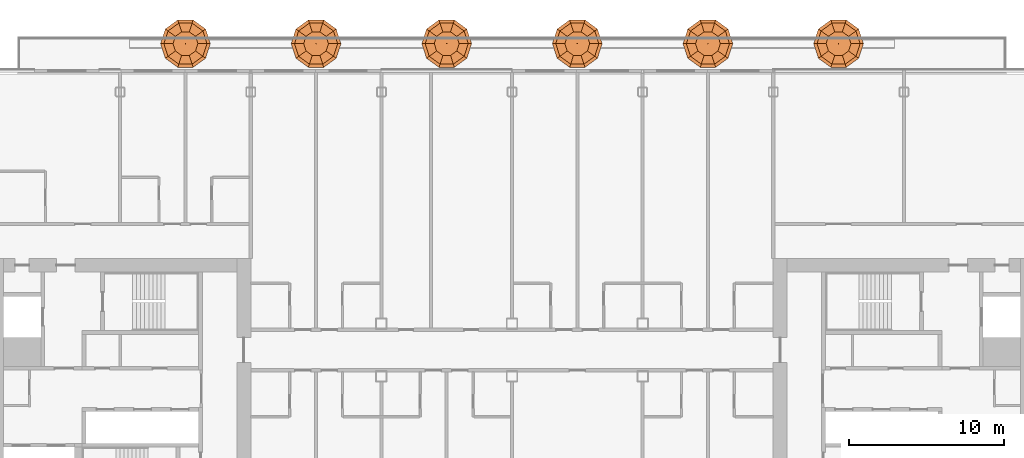
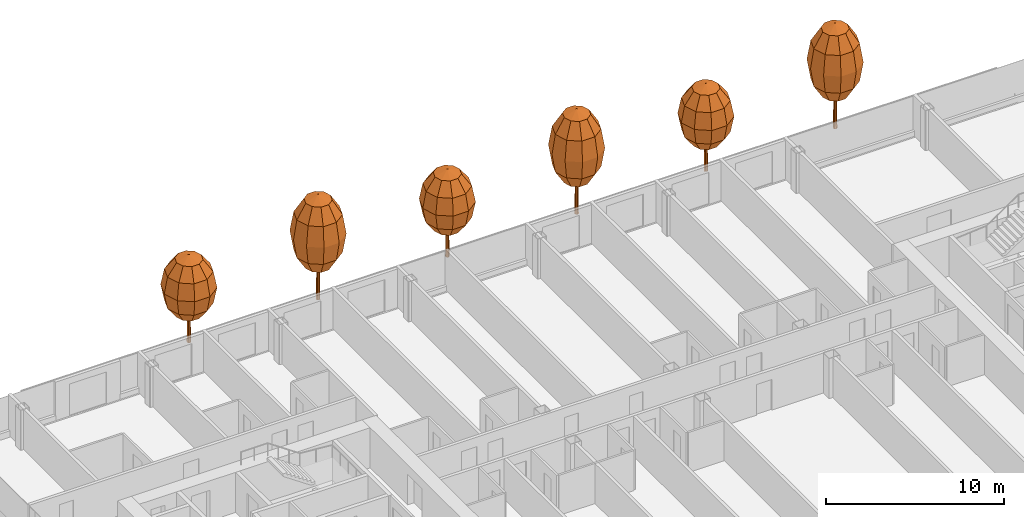
# One storey, part 29 of 29: 6 geographic elements.
"""IFC4 building model written with IfcOpenShell, lengths in metres."""

from ifc_helpers import new_model, si_unit, direction, frame, origin, place, context, subcontext, project, spatial, triangles, material, type_object, element, save


model = new_model("IFC4")

# Units and contexts
model_context = context("Model", 3, precision=1e-05, world=origin(), true_north=direction((0.0, 1.0)))
body_context = subcontext(model_context, "Body", "Model", "MODEL_VIEW")
ifc_project = project(units=[si_unit("LENGTHUNIT", "METRE"), si_unit("AREAUNIT", "SQUARE_METRE"), si_unit("VOLUMEUNIT", "CUBIC_METRE"), si_unit("PLANEANGLEUNIT", "RADIAN"), si_unit("MASSUNIT", "GRAM", prefix="KILO")], contexts=[model_context])

# Site, building, storey
site_placement = place(None, origin())
site = spatial("IfcSite", under=ifc_project, at=site_placement, CompositionType="ELEMENT")
building_placement = place(site_placement, origin())
building = spatial("IfcBuilding", under=site, at=building_placement, Name="Hakoniwa Tower and Hamabe Station Hall", CompositionType="ELEMENT")
storey_placement = place(building_placement, frame((0.0, 0.0, 205.800048828125)))
storey = spatial("IfcBuildingStorey", under=building, at=storey_placement, Name="L58", CompositionType="ELEMENT", Elevation=205.800048828125)

# Geographic elements
ifc_material_1 = material(Name="Tree foliage")
geographic_element_type_1 = type_object("IfcGeographicElementType", Name="Japanese maple 7.2 m", PredefinedType="USERDEFINED", material=ifc_material_1)
geographic_element_1_placement = place(storey_placement, frame((-12.60009765625, 22.199951171875, 0.89990234375)))
element("IfcGeographicElement", 1, at=geographic_element_1_placement, inside=storey, type_object=geographic_element_type_1, Name="Japanese maple 7-2 m", ObjectType="TREE", PredefinedType="USERDEFINED", context=body_context, shape_type="Tessellation", body=[
    triangles([(0.125, 0.0, 0.0), (0.08837890625, 0.08837890625, 0.0), (0.0, 0.125, 0.0), (-0.08837890625, 0.08837890625, 0.0), (-0.125, 0.0, 0.0), (-0.08837890625, -0.08837890625, 0.0), (0.0, -0.125, 0.0), (0.08837890625, -0.08837890625, 0.0), (0.074951171875, 0.0, 4.348876953125), (0.052978515625, 0.052978515625, 4.348876953125), (0.0, 0.074951171875, 4.348876953125), (-0.052978515625, 0.052978515625, 4.348876953125), (-0.074951171875, 0.0, 4.348876953125), (-0.052978515625, -0.052978515625, 4.348876953125), (0.0, -0.074951171875, 4.348876953125), (0.052978515625, -0.052978515625, 4.348876953125), (0.0, 0.0, 0.0), (0.0, 0.0, 4.348876953125)], [[1, 2, 10], [1, 10, 9], [17, 2, 1], [18, 9, 10], [2, 3, 11], [2, 11, 10], [17, 3, 2], [18, 10, 11], [3, 4, 12], [3, 12, 11], [17, 4, 3], [18, 11, 12], [4, 5, 13], [4, 13, 12], [17, 5, 4], [18, 12, 13], [5, 6, 14], [5, 14, 13], [17, 6, 5], [18, 13, 14], [6, 7, 15], [6, 15, 14], [17, 7, 6], [18, 14, 15], [7, 8, 16], [7, 16, 15], [17, 8, 7], [18, 15, 16], [8, 1, 9], [8, 9, 16], [17, 1, 8], [18, 16, 9]], closed=True),
    triangles([(0.0, 0.0, 2.015869140625), (0.800048828125, 0.0, 2.36328125), (0.647216796875, 0.47021484375, 2.36328125), (0.247314453125, 0.7607421875, 2.36328125), (-0.247314453125, 0.7607421875, 2.36328125), (-0.647216796875, 0.47021484375, 2.36328125), (-0.800048828125, 0.0, 2.36328125), (-0.647216796875, -0.47021484375, 2.36328125), (-0.247314453125, -0.7607421875, 2.36328125), (0.247314453125, -0.7607421875, 2.36328125), (0.647216796875, -0.47021484375, 2.36328125), (1.385498046875, 0.0, 3.31201171875), (1.12109375, 0.814453125, 3.31201171875), (0.42822265625, 1.31787109375, 3.31201171875), (-0.42822265625, 1.31787109375, 3.31201171875), (-1.12109375, 0.814453125, 3.31201171875), (-1.385498046875, 0.0, 3.31201171875), (-1.12109375, -0.814453125, 3.31201171875), (-0.42822265625, -1.31787109375, 3.31201171875), (0.42822265625, -1.31787109375, 3.31201171875), (1.12109375, -0.814453125, 3.31201171875), (1.60009765625, 0.0, 4.60791015625), (1.29443359375, 0.9404296875, 4.60791015625), (0.494384765625, 1.521728515625, 4.60791015625), (-0.494384765625, 1.521728515625, 4.60791015625), (-1.29443359375, 0.9404296875, 4.60791015625), (-1.60009765625, 0.0, 4.60791015625), (-1.29443359375, -0.9404296875, 4.60791015625), (-0.494384765625, -1.521728515625, 4.60791015625), (0.494384765625, -1.521728515625, 4.60791015625), (1.29443359375, -0.9404296875, 4.60791015625), (1.385498046875, 0.0, 5.904052734375), (1.12109375, 0.814453125, 5.904052734375), (0.42822265625, 1.31787109375, 5.904052734375), (-0.42822265625, 1.31787109375, 5.904052734375), (-1.12109375, 0.814453125, 5.904052734375), (-1.385498046875, 0.0, 5.904052734375), (-1.12109375, -0.814453125, 5.904052734375), (-0.42822265625, -1.31787109375, 5.904052734375), (0.42822265625, -1.31787109375, 5.904052734375), (1.12109375, -0.814453125, 5.904052734375), (0.800048828125, 0.0, 6.852783203125), (0.647216796875, 0.47021484375, 6.852783203125), (0.247314453125, 0.7607421875, 6.852783203125), (-0.247314453125, 0.7607421875, 6.852783203125), (-0.647216796875, 0.47021484375, 6.852783203125), (-0.800048828125, 0.0, 6.852783203125), (-0.647216796875, -0.47021484375, 6.852783203125), (-0.247314453125, -0.7607421875, 6.852783203125), (0.247314453125, -0.7607421875, 6.852783203125), (0.647216796875, -0.47021484375, 6.852783203125), (0.0, 0.0, 7.199951171875)], [[1, 3, 2], [1, 4, 3], [1, 5, 4], [1, 6, 5], [1, 7, 6], [1, 8, 7], [1, 9, 8], [1, 10, 9], [1, 11, 10], [1, 2, 11], [2, 3, 13], [2, 13, 12], [3, 4, 14], [3, 14, 13], [4, 5, 15], [4, 15, 14], [5, 6, 16], [5, 16, 15], [6, 7, 17], [6, 17, 16], [7, 8, 18], [7, 18, 17], [8, 9, 19], [8, 19, 18], [9, 10, 20], [9, 20, 19], [10, 11, 21], [10, 21, 20], [11, 2, 12], [11, 12, 21], [12, 13, 23], [12, 23, 22], [13, 14, 24], [13, 24, 23], [14, 15, 25], [14, 25, 24], [15, 16, 26], [15, 26, 25], [16, 17, 27], [16, 27, 26], [17, 18, 28], [17, 28, 27], [18, 19, 29], [18, 29, 28], [19, 20, 30], [19, 30, 29], [20, 21, 31], [20, 31, 30], [21, 12, 22], [21, 22, 31], [22, 23, 33], [22, 33, 32], [23, 24, 34], [23, 34, 33], [24, 25, 35], [24, 35, 34], [25, 26, 36], [25, 36, 35], [26, 27, 37], [26, 37, 36], [27, 28, 38], [27, 38, 37], [28, 29, 39], [28, 39, 38], [29, 30, 40], [29, 40, 39], [30, 31, 41], [30, 41, 40], [31, 22, 32], [31, 32, 41], [32, 33, 43], [32, 43, 42], [33, 34, 44], [33, 44, 43], [34, 35, 45], [34, 45, 44], [35, 36, 46], [35, 46, 45], [36, 37, 47], [36, 47, 46], [37, 38, 48], [37, 48, 47], [38, 39, 49], [38, 49, 48], [39, 40, 50], [39, 50, 49], [40, 41, 51], [40, 51, 50], [41, 32, 42], [41, 42, 51], [52, 42, 43], [52, 43, 44], [52, 44, 45], [52, 45, 46], [52, 46, 47], [52, 47, 48], [52, 48, 49], [52, 49, 50], [52, 50, 51], [52, 51, 42]], closed=True),
])
geographic_element_2_placement = place(storey_placement, frame((4.199951171875, 22.199951171875, 0.89990234375)))
element("IfcGeographicElement", 2, at=geographic_element_2_placement, inside=storey, type_object=geographic_element_type_1, Name="Japanese maple 7-2 m", ObjectType="TREE", PredefinedType="USERDEFINED", context=body_context, shape_type="Tessellation", body=[
    triangles([(0.125, 0.0, 0.0), (0.08837890625, 0.08837890625, 0.0), (0.0, 0.125, 0.0), (-0.08837890625, 0.08837890625, 0.0), (-0.125, 0.0, 0.0), (-0.08837890625, -0.08837890625, 0.0), (0.0, -0.125, 0.0), (0.08837890625, -0.08837890625, 0.0), (0.074951171875, 0.0, 4.348876953125), (0.052978515625, 0.052978515625, 4.348876953125), (0.0, 0.074951171875, 4.348876953125), (-0.052978515625, 0.052978515625, 4.348876953125), (-0.074951171875, 0.0, 4.348876953125), (-0.052978515625, -0.052978515625, 4.348876953125), (0.0, -0.074951171875, 4.348876953125), (0.052978515625, -0.052978515625, 4.348876953125), (0.0, 0.0, 0.0), (0.0, 0.0, 4.348876953125)], [[1, 2, 10], [1, 10, 9], [17, 2, 1], [18, 9, 10], [2, 3, 11], [2, 11, 10], [17, 3, 2], [18, 10, 11], [3, 4, 12], [3, 12, 11], [17, 4, 3], [18, 11, 12], [4, 5, 13], [4, 13, 12], [17, 5, 4], [18, 12, 13], [5, 6, 14], [5, 14, 13], [17, 6, 5], [18, 13, 14], [6, 7, 15], [6, 15, 14], [17, 7, 6], [18, 14, 15], [7, 8, 16], [7, 16, 15], [17, 8, 7], [18, 15, 16], [8, 1, 9], [8, 9, 16], [17, 1, 8], [18, 16, 9]], closed=True),
    triangles([(0.0, 0.0, 2.015869140625), (0.800048828125, 0.0, 2.36328125), (0.647216796875, 0.47021484375, 2.36328125), (0.247314453125, 0.7607421875, 2.36328125), (-0.247314453125, 0.7607421875, 2.36328125), (-0.647216796875, 0.47021484375, 2.36328125), (-0.800048828125, 0.0, 2.36328125), (-0.647216796875, -0.47021484375, 2.36328125), (-0.247314453125, -0.7607421875, 2.36328125), (0.247314453125, -0.7607421875, 2.36328125), (0.647216796875, -0.47021484375, 2.36328125), (1.385498046875, 0.0, 3.31201171875), (1.12109375, 0.814453125, 3.31201171875), (0.42822265625, 1.31787109375, 3.31201171875), (-0.42822265625, 1.31787109375, 3.31201171875), (-1.12109375, 0.814453125, 3.31201171875), (-1.385498046875, 0.0, 3.31201171875), (-1.12109375, -0.814453125, 3.31201171875), (-0.42822265625, -1.31787109375, 3.31201171875), (0.42822265625, -1.31787109375, 3.31201171875), (1.12109375, -0.814453125, 3.31201171875), (1.60009765625, 0.0, 4.60791015625), (1.29443359375, 0.9404296875, 4.60791015625), (0.494384765625, 1.521728515625, 4.60791015625), (-0.494384765625, 1.521728515625, 4.60791015625), (-1.29443359375, 0.9404296875, 4.60791015625), (-1.60009765625, 0.0, 4.60791015625), (-1.29443359375, -0.9404296875, 4.60791015625), (-0.494384765625, -1.521728515625, 4.60791015625), (0.494384765625, -1.521728515625, 4.60791015625), (1.29443359375, -0.9404296875, 4.60791015625), (1.385498046875, 0.0, 5.904052734375), (1.12109375, 0.814453125, 5.904052734375), (0.42822265625, 1.31787109375, 5.904052734375), (-0.42822265625, 1.31787109375, 5.904052734375), (-1.12109375, 0.814453125, 5.904052734375), (-1.385498046875, 0.0, 5.904052734375), (-1.12109375, -0.814453125, 5.904052734375), (-0.42822265625, -1.31787109375, 5.904052734375), (0.42822265625, -1.31787109375, 5.904052734375), (1.12109375, -0.814453125, 5.904052734375), (0.800048828125, 0.0, 6.852783203125), (0.647216796875, 0.47021484375, 6.852783203125), (0.247314453125, 0.7607421875, 6.852783203125), (-0.247314453125, 0.7607421875, 6.852783203125), (-0.647216796875, 0.47021484375, 6.852783203125), (-0.800048828125, 0.0, 6.852783203125), (-0.647216796875, -0.47021484375, 6.852783203125), (-0.247314453125, -0.7607421875, 6.852783203125), (0.247314453125, -0.7607421875, 6.852783203125), (0.647216796875, -0.47021484375, 6.852783203125), (0.0, 0.0, 7.199951171875)], [[1, 3, 2], [1, 4, 3], [1, 5, 4], [1, 6, 5], [1, 7, 6], [1, 8, 7], [1, 9, 8], [1, 10, 9], [1, 11, 10], [1, 2, 11], [2, 3, 13], [2, 13, 12], [3, 4, 14], [3, 14, 13], [4, 5, 15], [4, 15, 14], [5, 6, 16], [5, 16, 15], [6, 7, 17], [6, 17, 16], [7, 8, 18], [7, 18, 17], [8, 9, 19], [8, 19, 18], [9, 10, 20], [9, 20, 19], [10, 11, 21], [10, 21, 20], [11, 2, 12], [11, 12, 21], [12, 13, 23], [12, 23, 22], [13, 14, 24], [13, 24, 23], [14, 15, 25], [14, 25, 24], [15, 16, 26], [15, 26, 25], [16, 17, 27], [16, 27, 26], [17, 18, 28], [17, 28, 27], [18, 19, 29], [18, 29, 28], [19, 20, 30], [19, 30, 29], [20, 21, 31], [20, 31, 30], [21, 12, 22], [21, 22, 31], [22, 23, 33], [22, 33, 32], [23, 24, 34], [23, 34, 33], [24, 25, 35], [24, 35, 34], [25, 26, 36], [25, 36, 35], [26, 27, 37], [26, 37, 36], [27, 28, 38], [27, 38, 37], [28, 29, 39], [28, 39, 38], [29, 30, 40], [29, 40, 39], [30, 31, 41], [30, 41, 40], [31, 22, 32], [31, 32, 41], [32, 33, 43], [32, 43, 42], [33, 34, 44], [33, 44, 43], [34, 35, 45], [34, 45, 44], [35, 36, 46], [35, 46, 45], [36, 37, 47], [36, 47, 46], [37, 38, 48], [37, 48, 47], [38, 39, 49], [38, 49, 48], [39, 40, 50], [39, 50, 49], [40, 41, 51], [40, 51, 50], [41, 32, 42], [41, 42, 51], [52, 42, 43], [52, 43, 44], [52, 44, 45], [52, 45, 46], [52, 46, 47], [52, 47, 48], [52, 48, 49], [52, 49, 50], [52, 50, 51], [52, 51, 42]], closed=True),
])
geographic_element_3_placement = place(storey_placement, frame((21.0, 22.199951171875, 0.89990234375)))
element("IfcGeographicElement", 3, at=geographic_element_3_placement, inside=storey, type_object=geographic_element_type_1, Name="Japanese maple 7-2 m", ObjectType="TREE", PredefinedType="USERDEFINED", context=body_context, shape_type="Tessellation", body=[
    triangles([(0.125, 0.0, 0.0), (0.08837890625, 0.08837890625, 0.0), (0.0, 0.125, 0.0), (-0.08837890625, 0.08837890625, 0.0), (-0.125, 0.0, 0.0), (-0.08837890625, -0.08837890625, 0.0), (0.0, -0.125, 0.0), (0.08837890625, -0.08837890625, 0.0), (0.074951171875, 0.0, 4.348876953125), (0.052978515625, 0.052978515625, 4.348876953125), (0.0, 0.074951171875, 4.348876953125), (-0.052978515625, 0.052978515625, 4.348876953125), (-0.074951171875, 0.0, 4.348876953125), (-0.052978515625, -0.052978515625, 4.348876953125), (0.0, -0.074951171875, 4.348876953125), (0.052978515625, -0.052978515625, 4.348876953125), (0.0, 0.0, 0.0), (0.0, 0.0, 4.348876953125)], [[1, 2, 10], [1, 10, 9], [17, 2, 1], [18, 9, 10], [2, 3, 11], [2, 11, 10], [17, 3, 2], [18, 10, 11], [3, 4, 12], [3, 12, 11], [17, 4, 3], [18, 11, 12], [4, 5, 13], [4, 13, 12], [17, 5, 4], [18, 12, 13], [5, 6, 14], [5, 14, 13], [17, 6, 5], [18, 13, 14], [6, 7, 15], [6, 15, 14], [17, 7, 6], [18, 14, 15], [7, 8, 16], [7, 16, 15], [17, 8, 7], [18, 15, 16], [8, 1, 9], [8, 9, 16], [17, 1, 8], [18, 16, 9]], closed=True),
    triangles([(0.0, 0.0, 2.015869140625), (0.800048828125, 0.0, 2.36328125), (0.647216796875, 0.47021484375, 2.36328125), (0.247314453125, 0.7607421875, 2.36328125), (-0.247314453125, 0.7607421875, 2.36328125), (-0.647216796875, 0.47021484375, 2.36328125), (-0.800048828125, 0.0, 2.36328125), (-0.647216796875, -0.47021484375, 2.36328125), (-0.247314453125, -0.7607421875, 2.36328125), (0.247314453125, -0.7607421875, 2.36328125), (0.647216796875, -0.47021484375, 2.36328125), (1.385498046875, 0.0, 3.31201171875), (1.12109375, 0.814453125, 3.31201171875), (0.42822265625, 1.31787109375, 3.31201171875), (-0.42822265625, 1.31787109375, 3.31201171875), (-1.12109375, 0.814453125, 3.31201171875), (-1.385498046875, 0.0, 3.31201171875), (-1.12109375, -0.814453125, 3.31201171875), (-0.42822265625, -1.31787109375, 3.31201171875), (0.42822265625, -1.31787109375, 3.31201171875), (1.12109375, -0.814453125, 3.31201171875), (1.60009765625, 0.0, 4.60791015625), (1.29443359375, 0.9404296875, 4.60791015625), (0.494384765625, 1.521728515625, 4.60791015625), (-0.494384765625, 1.521728515625, 4.60791015625), (-1.29443359375, 0.9404296875, 4.60791015625), (-1.60009765625, 0.0, 4.60791015625), (-1.29443359375, -0.9404296875, 4.60791015625), (-0.494384765625, -1.521728515625, 4.60791015625), (0.494384765625, -1.521728515625, 4.60791015625), (1.29443359375, -0.9404296875, 4.60791015625), (1.385498046875, 0.0, 5.904052734375), (1.12109375, 0.814453125, 5.904052734375), (0.42822265625, 1.31787109375, 5.904052734375), (-0.42822265625, 1.31787109375, 5.904052734375), (-1.12109375, 0.814453125, 5.904052734375), (-1.385498046875, 0.0, 5.904052734375), (-1.12109375, -0.814453125, 5.904052734375), (-0.42822265625, -1.31787109375, 5.904052734375), (0.42822265625, -1.31787109375, 5.904052734375), (1.12109375, -0.814453125, 5.904052734375), (0.800048828125, 0.0, 6.852783203125), (0.647216796875, 0.47021484375, 6.852783203125), (0.247314453125, 0.7607421875, 6.852783203125), (-0.247314453125, 0.7607421875, 6.852783203125), (-0.647216796875, 0.47021484375, 6.852783203125), (-0.800048828125, 0.0, 6.852783203125), (-0.647216796875, -0.47021484375, 6.852783203125), (-0.247314453125, -0.7607421875, 6.852783203125), (0.247314453125, -0.7607421875, 6.852783203125), (0.647216796875, -0.47021484375, 6.852783203125), (0.0, 0.0, 7.199951171875)], [[1, 3, 2], [1, 4, 3], [1, 5, 4], [1, 6, 5], [1, 7, 6], [1, 8, 7], [1, 9, 8], [1, 10, 9], [1, 11, 10], [1, 2, 11], [2, 3, 13], [2, 13, 12], [3, 4, 14], [3, 14, 13], [4, 5, 15], [4, 15, 14], [5, 6, 16], [5, 16, 15], [6, 7, 17], [6, 17, 16], [7, 8, 18], [7, 18, 17], [8, 9, 19], [8, 19, 18], [9, 10, 20], [9, 20, 19], [10, 11, 21], [10, 21, 20], [11, 2, 12], [11, 12, 21], [12, 13, 23], [12, 23, 22], [13, 14, 24], [13, 24, 23], [14, 15, 25], [14, 25, 24], [15, 16, 26], [15, 26, 25], [16, 17, 27], [16, 27, 26], [17, 18, 28], [17, 28, 27], [18, 19, 29], [18, 29, 28], [19, 20, 30], [19, 30, 29], [20, 21, 31], [20, 31, 30], [21, 12, 22], [21, 22, 31], [22, 23, 33], [22, 33, 32], [23, 24, 34], [23, 34, 33], [24, 25, 35], [24, 35, 34], [25, 26, 36], [25, 36, 35], [26, 27, 37], [26, 37, 36], [27, 28, 38], [27, 38, 37], [28, 29, 39], [28, 39, 38], [29, 30, 40], [29, 40, 39], [30, 31, 41], [30, 41, 40], [31, 22, 32], [31, 32, 41], [32, 33, 43], [32, 43, 42], [33, 34, 44], [33, 44, 43], [34, 35, 45], [34, 45, 44], [35, 36, 46], [35, 46, 45], [36, 37, 47], [36, 47, 46], [37, 38, 48], [37, 48, 47], [38, 39, 49], [38, 49, 48], [39, 40, 50], [39, 50, 49], [40, 41, 51], [40, 51, 50], [41, 32, 42], [41, 42, 51], [52, 42, 43], [52, 43, 44], [52, 44, 45], [52, 45, 46], [52, 46, 47], [52, 47, 48], [52, 48, 49], [52, 49, 50], [52, 50, 51], [52, 51, 42]], closed=True),
])
ifc_material_2 = material(Name="Tree foliage")
geographic_element_type_2 = type_object("IfcGeographicElementType", Name="Osmanthus 6.0 m", PredefinedType="USERDEFINED", material=ifc_material_2)
geographic_element_4_placement = place(storey_placement, frame((-21.0, 22.199951171875, 0.89990234375)))
element("IfcGeographicElement", 4, at=geographic_element_4_placement, inside=storey, type_object=geographic_element_type_2, Name="Osmanthus 6-0 m", ObjectType="TREE", PredefinedType="USERDEFINED", context=body_context, shape_type="Tessellation", body=[
    triangles([(0.125, 0.0, 0.0), (0.08837890625, 0.08837890625, 0.0), (0.0, 0.125, 0.0), (-0.08837890625, 0.08837890625, 0.0), (-0.125, 0.0, 0.0), (-0.08837890625, -0.08837890625, 0.0), (0.0, -0.125, 0.0), (0.08837890625, -0.08837890625, 0.0), (0.074951171875, 0.0, 3.6240234375), (0.052978515625, 0.052978515625, 3.6240234375), (0.0, 0.074951171875, 3.6240234375), (-0.052978515625, 0.052978515625, 3.6240234375), (-0.074951171875, 0.0, 3.6240234375), (-0.052978515625, -0.052978515625, 3.6240234375), (0.0, -0.074951171875, 3.6240234375), (0.052978515625, -0.052978515625, 3.6240234375), (0.0, 0.0, 0.0), (0.0, 0.0, 3.6240234375)], [[1, 2, 10], [1, 10, 9], [17, 2, 1], [18, 9, 10], [2, 3, 11], [2, 11, 10], [17, 3, 2], [18, 10, 11], [3, 4, 12], [3, 12, 11], [17, 4, 3], [18, 11, 12], [4, 5, 13], [4, 13, 12], [17, 5, 4], [18, 12, 13], [5, 6, 14], [5, 14, 13], [17, 6, 5], [18, 13, 14], [6, 7, 15], [6, 15, 14], [17, 7, 6], [18, 14, 15], [7, 8, 16], [7, 16, 15], [17, 8, 7], [18, 15, 16], [8, 1, 9], [8, 9, 16], [17, 1, 8], [18, 16, 9]], closed=True),
    triangles([(0.0, 0.0, 1.679931640625), (0.800048828125, 0.0, 1.969482421875), (0.647216796875, 0.47021484375, 1.969482421875), (0.247314453125, 0.7607421875, 1.969482421875), (-0.247314453125, 0.7607421875, 1.969482421875), (-0.647216796875, 0.47021484375, 1.969482421875), (-0.800048828125, 0.0, 1.969482421875), (-0.647216796875, -0.47021484375, 1.969482421875), (-0.247314453125, -0.7607421875, 1.969482421875), (0.247314453125, -0.7607421875, 1.969482421875), (0.647216796875, -0.47021484375, 1.969482421875), (1.385498046875, 0.0, 2.760009765625), (1.12109375, 0.814453125, 2.760009765625), (0.42822265625, 1.31787109375, 2.760009765625), (-0.42822265625, 1.31787109375, 2.760009765625), (-1.12109375, 0.814453125, 2.760009765625), (-1.385498046875, 0.0, 2.760009765625), (-1.12109375, -0.814453125, 2.760009765625), (-0.42822265625, -1.31787109375, 2.760009765625), (0.42822265625, -1.31787109375, 2.760009765625), (1.12109375, -0.814453125, 2.760009765625), (1.60009765625, 0.0, 3.840087890625), (1.29443359375, 0.9404296875, 3.840087890625), (0.494384765625, 1.521728515625, 3.840087890625), (-0.494384765625, 1.521728515625, 3.840087890625), (-1.29443359375, 0.9404296875, 3.840087890625), (-1.60009765625, 0.0, 3.840087890625), (-1.29443359375, -0.9404296875, 3.840087890625), (-0.494384765625, -1.521728515625, 3.840087890625), (0.494384765625, -1.521728515625, 3.840087890625), (1.29443359375, -0.9404296875, 3.840087890625), (1.385498046875, 0.0, 4.919921875), (1.12109375, 0.814453125, 4.919921875), (0.42822265625, 1.31787109375, 4.919921875), (-0.42822265625, 1.31787109375, 4.919921875), (-1.12109375, 0.814453125, 4.919921875), (-1.385498046875, 0.0, 4.919921875), (-1.12109375, -0.814453125, 4.919921875), (-0.42822265625, -1.31787109375, 4.919921875), (0.42822265625, -1.31787109375, 4.919921875), (1.12109375, -0.814453125, 4.919921875), (0.800048828125, 0.0, 5.710693359375), (0.647216796875, 0.47021484375, 5.710693359375), (0.247314453125, 0.7607421875, 5.710693359375), (-0.247314453125, 0.7607421875, 5.710693359375), (-0.647216796875, 0.47021484375, 5.710693359375), (-0.800048828125, 0.0, 5.710693359375), (-0.647216796875, -0.47021484375, 5.710693359375), (-0.247314453125, -0.7607421875, 5.710693359375), (0.247314453125, -0.7607421875, 5.710693359375), (0.647216796875, -0.47021484375, 5.710693359375), (0.0, 0.0, 6.0)], [[1, 3, 2], [1, 4, 3], [1, 5, 4], [1, 6, 5], [1, 7, 6], [1, 8, 7], [1, 9, 8], [1, 10, 9], [1, 11, 10], [1, 2, 11], [2, 3, 13], [2, 13, 12], [3, 4, 14], [3, 14, 13], [4, 5, 15], [4, 15, 14], [5, 6, 16], [5, 16, 15], [6, 7, 17], [6, 17, 16], [7, 8, 18], [7, 18, 17], [8, 9, 19], [8, 19, 18], [9, 10, 20], [9, 20, 19], [10, 11, 21], [10, 21, 20], [11, 2, 12], [11, 12, 21], [12, 13, 23], [12, 23, 22], [13, 14, 24], [13, 24, 23], [14, 15, 25], [14, 25, 24], [15, 16, 26], [15, 26, 25], [16, 17, 27], [16, 27, 26], [17, 18, 28], [17, 28, 27], [18, 19, 29], [18, 29, 28], [19, 20, 30], [19, 30, 29], [20, 21, 31], [20, 31, 30], [21, 12, 22], [21, 22, 31], [22, 23, 33], [22, 33, 32], [23, 24, 34], [23, 34, 33], [24, 25, 35], [24, 35, 34], [25, 26, 36], [25, 36, 35], [26, 27, 37], [26, 37, 36], [27, 28, 38], [27, 38, 37], [28, 29, 39], [28, 39, 38], [29, 30, 40], [29, 40, 39], [30, 31, 41], [30, 41, 40], [31, 22, 32], [31, 32, 41], [32, 33, 43], [32, 43, 42], [33, 34, 44], [33, 44, 43], [34, 35, 45], [34, 45, 44], [35, 36, 46], [35, 46, 45], [36, 37, 47], [36, 47, 46], [37, 38, 48], [37, 48, 47], [38, 39, 49], [38, 49, 48], [39, 40, 50], [39, 50, 49], [40, 41, 51], [40, 51, 50], [41, 32, 42], [41, 42, 51], [52, 42, 43], [52, 43, 44], [52, 44, 45], [52, 45, 46], [52, 46, 47], [52, 47, 48], [52, 48, 49], [52, 49, 50], [52, 50, 51], [52, 51, 42]], closed=True),
])
geographic_element_5_placement = place(storey_placement, frame((-4.199951171875, 22.199951171875, 0.89990234375)))
element("IfcGeographicElement", 5, at=geographic_element_5_placement, inside=storey, type_object=geographic_element_type_2, Name="Osmanthus 6-0 m", ObjectType="TREE", PredefinedType="USERDEFINED", context=body_context, shape_type="Tessellation", body=[
    triangles([(0.125, 0.0, 0.0), (0.08837890625, 0.08837890625, 0.0), (0.0, 0.125, 0.0), (-0.08837890625, 0.08837890625, 0.0), (-0.125, 0.0, 0.0), (-0.08837890625, -0.08837890625, 0.0), (0.0, -0.125, 0.0), (0.08837890625, -0.08837890625, 0.0), (0.074951171875, 0.0, 3.6240234375), (0.052978515625, 0.052978515625, 3.6240234375), (0.0, 0.074951171875, 3.6240234375), (-0.052978515625, 0.052978515625, 3.6240234375), (-0.074951171875, 0.0, 3.6240234375), (-0.052978515625, -0.052978515625, 3.6240234375), (0.0, -0.074951171875, 3.6240234375), (0.052978515625, -0.052978515625, 3.6240234375), (0.0, 0.0, 0.0), (0.0, 0.0, 3.6240234375)], [[1, 2, 10], [1, 10, 9], [17, 2, 1], [18, 9, 10], [2, 3, 11], [2, 11, 10], [17, 3, 2], [18, 10, 11], [3, 4, 12], [3, 12, 11], [17, 4, 3], [18, 11, 12], [4, 5, 13], [4, 13, 12], [17, 5, 4], [18, 12, 13], [5, 6, 14], [5, 14, 13], [17, 6, 5], [18, 13, 14], [6, 7, 15], [6, 15, 14], [17, 7, 6], [18, 14, 15], [7, 8, 16], [7, 16, 15], [17, 8, 7], [18, 15, 16], [8, 1, 9], [8, 9, 16], [17, 1, 8], [18, 16, 9]], closed=True),
    triangles([(0.0, 0.0, 1.679931640625), (0.800048828125, 0.0, 1.969482421875), (0.647216796875, 0.47021484375, 1.969482421875), (0.247314453125, 0.7607421875, 1.969482421875), (-0.247314453125, 0.7607421875, 1.969482421875), (-0.647216796875, 0.47021484375, 1.969482421875), (-0.800048828125, 0.0, 1.969482421875), (-0.647216796875, -0.47021484375, 1.969482421875), (-0.247314453125, -0.7607421875, 1.969482421875), (0.247314453125, -0.7607421875, 1.969482421875), (0.647216796875, -0.47021484375, 1.969482421875), (1.385498046875, 0.0, 2.760009765625), (1.12109375, 0.814453125, 2.760009765625), (0.42822265625, 1.31787109375, 2.760009765625), (-0.42822265625, 1.31787109375, 2.760009765625), (-1.12109375, 0.814453125, 2.760009765625), (-1.385498046875, 0.0, 2.760009765625), (-1.12109375, -0.814453125, 2.760009765625), (-0.42822265625, -1.31787109375, 2.760009765625), (0.42822265625, -1.31787109375, 2.760009765625), (1.12109375, -0.814453125, 2.760009765625), (1.60009765625, 0.0, 3.840087890625), (1.29443359375, 0.9404296875, 3.840087890625), (0.494384765625, 1.521728515625, 3.840087890625), (-0.494384765625, 1.521728515625, 3.840087890625), (-1.29443359375, 0.9404296875, 3.840087890625), (-1.60009765625, 0.0, 3.840087890625), (-1.29443359375, -0.9404296875, 3.840087890625), (-0.494384765625, -1.521728515625, 3.840087890625), (0.494384765625, -1.521728515625, 3.840087890625), (1.29443359375, -0.9404296875, 3.840087890625), (1.385498046875, 0.0, 4.919921875), (1.12109375, 0.814453125, 4.919921875), (0.42822265625, 1.31787109375, 4.919921875), (-0.42822265625, 1.31787109375, 4.919921875), (-1.12109375, 0.814453125, 4.919921875), (-1.385498046875, 0.0, 4.919921875), (-1.12109375, -0.814453125, 4.919921875), (-0.42822265625, -1.31787109375, 4.919921875), (0.42822265625, -1.31787109375, 4.919921875), (1.12109375, -0.814453125, 4.919921875), (0.800048828125, 0.0, 5.710693359375), (0.647216796875, 0.47021484375, 5.710693359375), (0.247314453125, 0.7607421875, 5.710693359375), (-0.247314453125, 0.7607421875, 5.710693359375), (-0.647216796875, 0.47021484375, 5.710693359375), (-0.800048828125, 0.0, 5.710693359375), (-0.647216796875, -0.47021484375, 5.710693359375), (-0.247314453125, -0.7607421875, 5.710693359375), (0.247314453125, -0.7607421875, 5.710693359375), (0.647216796875, -0.47021484375, 5.710693359375), (0.0, 0.0, 6.0)], [[1, 3, 2], [1, 4, 3], [1, 5, 4], [1, 6, 5], [1, 7, 6], [1, 8, 7], [1, 9, 8], [1, 10, 9], [1, 11, 10], [1, 2, 11], [2, 3, 13], [2, 13, 12], [3, 4, 14], [3, 14, 13], [4, 5, 15], [4, 15, 14], [5, 6, 16], [5, 16, 15], [6, 7, 17], [6, 17, 16], [7, 8, 18], [7, 18, 17], [8, 9, 19], [8, 19, 18], [9, 10, 20], [9, 20, 19], [10, 11, 21], [10, 21, 20], [11, 2, 12], [11, 12, 21], [12, 13, 23], [12, 23, 22], [13, 14, 24], [13, 24, 23], [14, 15, 25], [14, 25, 24], [15, 16, 26], [15, 26, 25], [16, 17, 27], [16, 27, 26], [17, 18, 28], [17, 28, 27], [18, 19, 29], [18, 29, 28], [19, 20, 30], [19, 30, 29], [20, 21, 31], [20, 31, 30], [21, 12, 22], [21, 22, 31], [22, 23, 33], [22, 33, 32], [23, 24, 34], [23, 34, 33], [24, 25, 35], [24, 35, 34], [25, 26, 36], [25, 36, 35], [26, 27, 37], [26, 37, 36], [27, 28, 38], [27, 38, 37], [28, 29, 39], [28, 39, 38], [29, 30, 40], [29, 40, 39], [30, 31, 41], [30, 41, 40], [31, 22, 32], [31, 32, 41], [32, 33, 43], [32, 43, 42], [33, 34, 44], [33, 44, 43], [34, 35, 45], [34, 45, 44], [35, 36, 46], [35, 46, 45], [36, 37, 47], [36, 47, 46], [37, 38, 48], [37, 48, 47], [38, 39, 49], [38, 49, 48], [39, 40, 50], [39, 50, 49], [40, 41, 51], [40, 51, 50], [41, 32, 42], [41, 42, 51], [52, 42, 43], [52, 43, 44], [52, 44, 45], [52, 45, 46], [52, 46, 47], [52, 47, 48], [52, 48, 49], [52, 49, 50], [52, 50, 51], [52, 51, 42]], closed=True),
])
geographic_element_6_placement = place(storey_placement, frame((12.60009765625, 22.199951171875, 0.89990234375)))
element("IfcGeographicElement", 6, at=geographic_element_6_placement, inside=storey, type_object=geographic_element_type_2, Name="Osmanthus 6-0 m", ObjectType="TREE", PredefinedType="USERDEFINED", context=body_context, shape_type="Tessellation", body=[
    triangles([(0.125, 0.0, 0.0), (0.08837890625, 0.08837890625, 0.0), (0.0, 0.125, 0.0), (-0.08837890625, 0.08837890625, 0.0), (-0.125, 0.0, 0.0), (-0.08837890625, -0.08837890625, 0.0), (0.0, -0.125, 0.0), (0.08837890625, -0.08837890625, 0.0), (0.074951171875, 0.0, 3.6240234375), (0.052978515625, 0.052978515625, 3.6240234375), (0.0, 0.074951171875, 3.6240234375), (-0.052978515625, 0.052978515625, 3.6240234375), (-0.074951171875, 0.0, 3.6240234375), (-0.052978515625, -0.052978515625, 3.6240234375), (0.0, -0.074951171875, 3.6240234375), (0.052978515625, -0.052978515625, 3.6240234375), (0.0, 0.0, 0.0), (0.0, 0.0, 3.6240234375)], [[1, 2, 10], [1, 10, 9], [17, 2, 1], [18, 9, 10], [2, 3, 11], [2, 11, 10], [17, 3, 2], [18, 10, 11], [3, 4, 12], [3, 12, 11], [17, 4, 3], [18, 11, 12], [4, 5, 13], [4, 13, 12], [17, 5, 4], [18, 12, 13], [5, 6, 14], [5, 14, 13], [17, 6, 5], [18, 13, 14], [6, 7, 15], [6, 15, 14], [17, 7, 6], [18, 14, 15], [7, 8, 16], [7, 16, 15], [17, 8, 7], [18, 15, 16], [8, 1, 9], [8, 9, 16], [17, 1, 8], [18, 16, 9]], closed=True),
    triangles([(0.0, 0.0, 1.679931640625), (0.800048828125, 0.0, 1.969482421875), (0.647216796875, 0.47021484375, 1.969482421875), (0.247314453125, 0.7607421875, 1.969482421875), (-0.247314453125, 0.7607421875, 1.969482421875), (-0.647216796875, 0.47021484375, 1.969482421875), (-0.800048828125, 0.0, 1.969482421875), (-0.647216796875, -0.47021484375, 1.969482421875), (-0.247314453125, -0.7607421875, 1.969482421875), (0.247314453125, -0.7607421875, 1.969482421875), (0.647216796875, -0.47021484375, 1.969482421875), (1.385498046875, 0.0, 2.760009765625), (1.12109375, 0.814453125, 2.760009765625), (0.42822265625, 1.31787109375, 2.760009765625), (-0.42822265625, 1.31787109375, 2.760009765625), (-1.12109375, 0.814453125, 2.760009765625), (-1.385498046875, 0.0, 2.760009765625), (-1.12109375, -0.814453125, 2.760009765625), (-0.42822265625, -1.31787109375, 2.760009765625), (0.42822265625, -1.31787109375, 2.760009765625), (1.12109375, -0.814453125, 2.760009765625), (1.60009765625, 0.0, 3.840087890625), (1.29443359375, 0.9404296875, 3.840087890625), (0.494384765625, 1.521728515625, 3.840087890625), (-0.494384765625, 1.521728515625, 3.840087890625), (-1.29443359375, 0.9404296875, 3.840087890625), (-1.60009765625, 0.0, 3.840087890625), (-1.29443359375, -0.9404296875, 3.840087890625), (-0.494384765625, -1.521728515625, 3.840087890625), (0.494384765625, -1.521728515625, 3.840087890625), (1.29443359375, -0.9404296875, 3.840087890625), (1.385498046875, 0.0, 4.919921875), (1.12109375, 0.814453125, 4.919921875), (0.42822265625, 1.31787109375, 4.919921875), (-0.42822265625, 1.31787109375, 4.919921875), (-1.12109375, 0.814453125, 4.919921875), (-1.385498046875, 0.0, 4.919921875), (-1.12109375, -0.814453125, 4.919921875), (-0.42822265625, -1.31787109375, 4.919921875), (0.42822265625, -1.31787109375, 4.919921875), (1.12109375, -0.814453125, 4.919921875), (0.800048828125, 0.0, 5.710693359375), (0.647216796875, 0.47021484375, 5.710693359375), (0.247314453125, 0.7607421875, 5.710693359375), (-0.247314453125, 0.7607421875, 5.710693359375), (-0.647216796875, 0.47021484375, 5.710693359375), (-0.800048828125, 0.0, 5.710693359375), (-0.647216796875, -0.47021484375, 5.710693359375), (-0.247314453125, -0.7607421875, 5.710693359375), (0.247314453125, -0.7607421875, 5.710693359375), (0.647216796875, -0.47021484375, 5.710693359375), (0.0, 0.0, 6.0)], [[1, 3, 2], [1, 4, 3], [1, 5, 4], [1, 6, 5], [1, 7, 6], [1, 8, 7], [1, 9, 8], [1, 10, 9], [1, 11, 10], [1, 2, 11], [2, 3, 13], [2, 13, 12], [3, 4, 14], [3, 14, 13], [4, 5, 15], [4, 15, 14], [5, 6, 16], [5, 16, 15], [6, 7, 17], [6, 17, 16], [7, 8, 18], [7, 18, 17], [8, 9, 19], [8, 19, 18], [9, 10, 20], [9, 20, 19], [10, 11, 21], [10, 21, 20], [11, 2, 12], [11, 12, 21], [12, 13, 23], [12, 23, 22], [13, 14, 24], [13, 24, 23], [14, 15, 25], [14, 25, 24], [15, 16, 26], [15, 26, 25], [16, 17, 27], [16, 27, 26], [17, 18, 28], [17, 28, 27], [18, 19, 29], [18, 29, 28], [19, 20, 30], [19, 30, 29], [20, 21, 31], [20, 31, 30], [21, 12, 22], [21, 22, 31], [22, 23, 33], [22, 33, 32], [23, 24, 34], [23, 34, 33], [24, 25, 35], [24, 35, 34], [25, 26, 36], [25, 36, 35], [26, 27, 37], [26, 37, 36], [27, 28, 38], [27, 38, 37], [28, 29, 39], [28, 39, 38], [29, 30, 40], [29, 40, 39], [30, 31, 41], [30, 41, 40], [31, 22, 32], [31, 32, 41], [32, 33, 43], [32, 43, 42], [33, 34, 44], [33, 44, 43], [34, 35, 45], [34, 45, 44], [35, 36, 46], [35, 46, 45], [36, 37, 47], [36, 47, 46], [37, 38, 48], [37, 48, 47], [38, 39, 49], [38, 49, 48], [39, 40, 50], [39, 50, 49], [40, 41, 51], [40, 51, 50], [41, 32, 42], [41, 42, 51], [52, 42, 43], [52, 43, 44], [52, 44, 45], [52, 45, 46], [52, 46, 47], [52, 47, 48], [52, 48, 49], [52, 49, 50], [52, 50, 51], [52, 51, 42]], closed=True),
])

save(model, "model.ifc")
